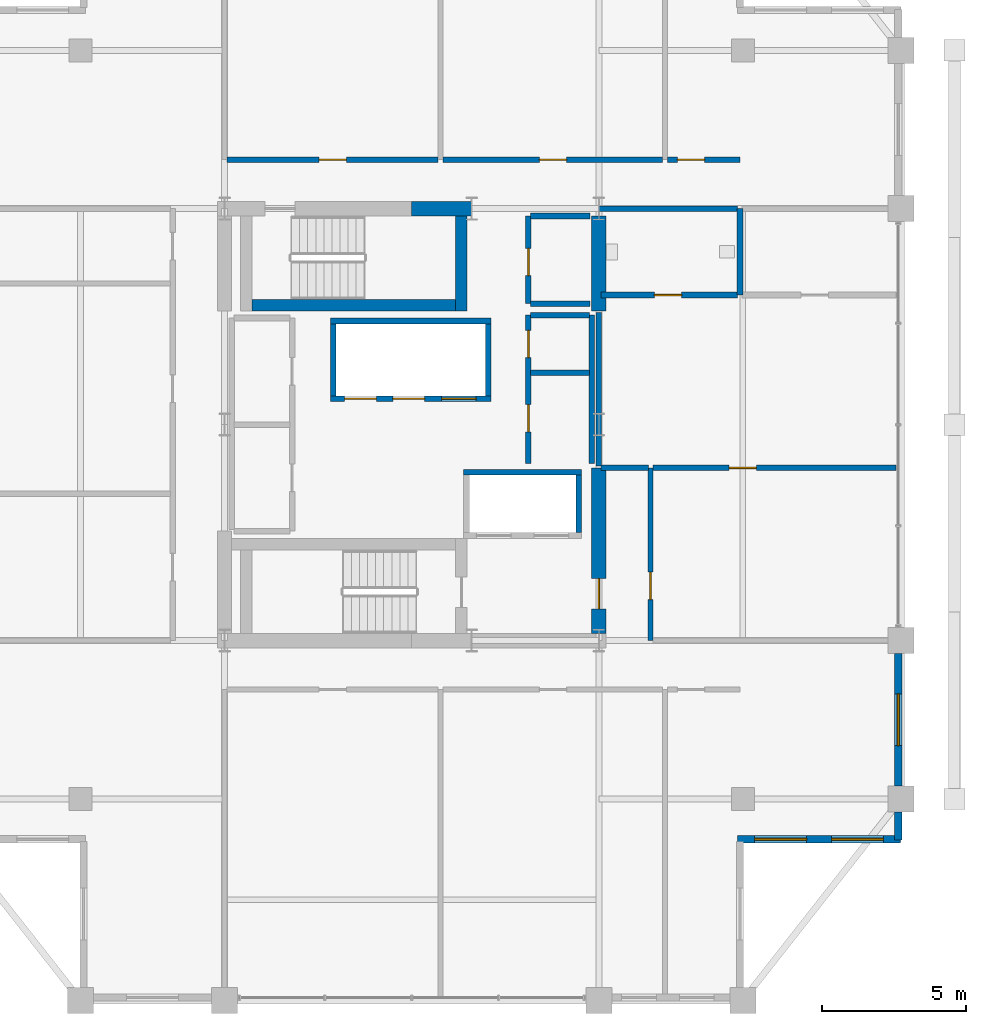
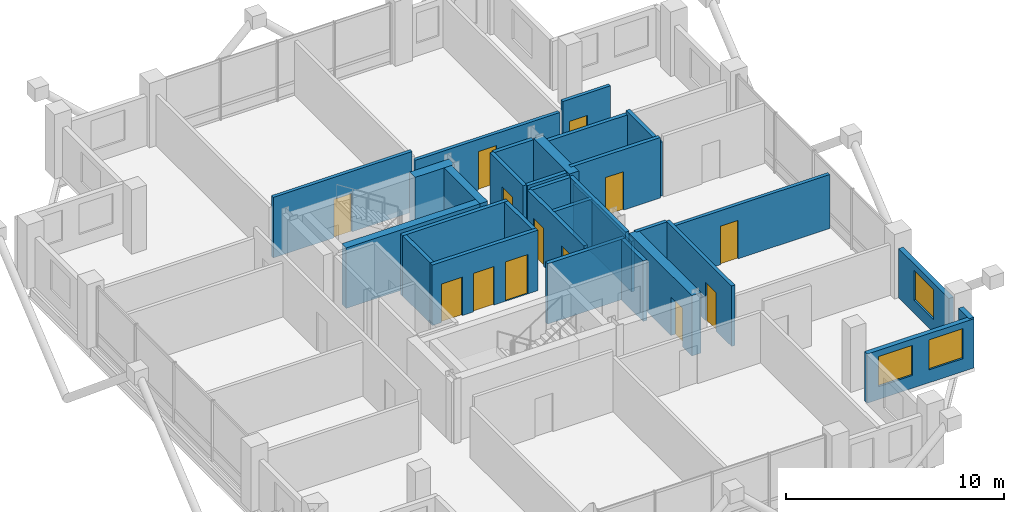
# One storey, part 19 of 22: 31 walls, 13 doors, 3 windows, 16 openings.
"""IFC4 building model written with IfcOpenShell, lengths in metres."""

from ifc_helpers import new_model, si_unit, direction, frame, frame_2d, origin, place, context, subcontext, project, spatial, rectangle, extrude, material, layer, layer_set, type_object, element, fill, save


model = new_model("IFC4")

# Units and contexts
model_context = context("Model", 3, precision=1e-05, world=origin(), true_north=direction((0.0, 1.0)))
body_context = subcontext(model_context, "Body", "Model", "MODEL_VIEW")
ifc_project = project(units=[si_unit("LENGTHUNIT", "METRE"), si_unit("AREAUNIT", "SQUARE_METRE"), si_unit("VOLUMEUNIT", "CUBIC_METRE"), si_unit("PLANEANGLEUNIT", "RADIAN"), si_unit("MASSUNIT", "GRAM", prefix="KILO")], contexts=[model_context])

# Site, building, storey
site_placement = place(None, origin())
site = spatial("IfcSite", under=ifc_project, at=site_placement, CompositionType="ELEMENT")
building_placement = place(site_placement, origin())
building = spatial("IfcBuilding", under=site, at=building_placement, Name="Barlavira Tower and Art Museum", CompositionType="ELEMENT")
storey_placement = place(building_placement, frame((0.0, 0.0, 258.300048828125)))
storey = spatial("IfcBuildingStorey", under=building, at=storey_placement, Name="L67", CompositionType="ELEMENT", Elevation=258.300048828125)

# Wall
ifc_material_1 = material(Name="Concrete C60", Category="concrete")
ifc_layer_1 = layer(ifc_material_1, 0.5, Name="Concrete C60")
ifc_layer_set_1 = layer_set([ifc_layer_1], Name="Concrete C60")
wall_type_1 = type_object("IfcWallType", Name="Core Structural Shear Wall 500 Concrete C60", PredefinedType="SHEAR", material=ifc_layer_set_1)
wall_1_placement = place(storey_placement, frame((0.0, 7.5, 0.0), z_axis=(0.0, 0.0, 1.0), x_axis=(1.0, 0.0, 0.0)))
element("IfcWall", 1, at=wall_1_placement, inside=storey, type_object=wall_type_1, Name="L67 Core Shear Wall CS-EN", PredefinedType="SHEAR", context=body_context, shape_type="SweptSolid", body=[
    extrude(rectangle(XDim=2.080078125, YDim=0.5, at=frame_2d((1.0400390625, 0.0))), origin(), (0.0, 0.0, 1.0), 3.3798828125),
])

# Wall, opening, door
wall_2_placement = place(storey_placement, frame((6.5, -7.25, 0.0), z_axis=(0.0, 0.0, 1.0), x_axis=(0.0, 1.0, 0.0)))
wall_2 = element("IfcWall", 2, at=wall_2_placement, inside=storey, type_object=wall_type_1, Name="L67 Core Shear Wall CS-E1", PredefinedType="SHEAR", context=body_context, shape_type="SweptSolid", body=[
    extrude(rectangle(XDim=5.75, YDim=0.5, at=frame_2d((2.875, 0.0))), origin(), (0.0, 0.0, 1.0), 3.3798828125),
])
opening_1_placement = place(wall_2_placement, frame((0.85009765625, 0.0, 0.0)))
opening_1 = element("IfcOpeningElement", 3, at=opening_1_placement, cuts=wall_2, Name="Opening FD-90", PredefinedType="OPENING", context=body_context, shape_type="SweptSolid", body=[
    extrude(rectangle(XDim=1.050048828125, YDim=2.14990234375, at=frame_2d((0.52490234375, 1.074951171875))), frame((0.0, 0.260009765625, 0.0), z_axis=(0.0, -1.0, 0.0), x_axis=(1.0, 0.0, 0.0)), (0.0, 0.0, 1.0), 0.52001953125),
])
ifc_material_2 = material(Name="Brushed stainless steel", Category="steel")
door_type_1 = type_object("IfcDoorType", Name="Stair and Refuge Fire Door 1050x2150 FD90S", OperationType="NOTDEFINED", PredefinedType="DOOR", material=ifc_material_2)
door_1_placement = place(opening_1_placement, origin())
door_1 = element("IfcDoor", 4, at=door_1_placement, inside=storey, type_object=door_type_1, Name="L67 Firefighting Lobby Entry Fire Door", OperationType="SINGLE_SWING_LEFT", OverallHeight=2.14990234375, OverallWidth=1.050048828125, PredefinedType="DOOR", context=body_context, shape_type="SweptSolid", body=[
    extrude(rectangle(XDim=1.050048828125, YDim=2.14990234375, at=frame_2d((0.52490234375, 1.074951171875))), frame((0.0, 0.02490234375, 0.0), z_axis=(0.0, -1.0, 0.0), x_axis=(1.0, 0.0, 0.0)), (0.0, 0.0, 1.0), 0.050048828125),
])
fill(opening_1, door_1)

# Wall
wall_3_placement = place(storey_placement, frame((6.5, 3.949951171875, 0.0), z_axis=(0.0, 0.0, 1.0), x_axis=(0.0, 1.0, 0.0)))
element("IfcWall", 5, at=wall_3_placement, inside=storey, type_object=wall_type_1, Name="L67 Core Shear Wall CS-E2", PredefinedType="SHEAR", context=body_context, shape_type="SweptSolid", body=[
    extrude(rectangle(XDim=3.300048828125, YDim=0.5, at=frame_2d((1.64990234375, 0.0))), origin(), (0.0, 0.0, 1.0), 3.3798828125),
])

# Wall, openings, doors
ifc_material_3 = material(Name="Autoclaved aerated concrete masonry", Category="masonry")
ifc_layer_2 = layer(ifc_material_3, 0.199951171875, Name="Autoclaved aerated concrete masonry")
ifc_layer_set_2 = layer_set([ifc_layer_2], Name="Autoclaved aerated concrete masonry")
wall_type_2 = type_object("IfcWallType", Name="Fire Compartment and Shaft Wall 200", PredefinedType="SOLIDWALL", material=ifc_layer_set_2)
wall_4_placement = place(storey_placement, frame((-2.820068359375, 0.89990234375, 0.0), z_axis=(0.0, 0.0, 1.0), x_axis=(1.0, 0.0, 0.0)))
wall_4 = element("IfcWall", 6, at=wall_4_placement, inside=storey, type_object=wall_type_2, Name="L67 High-Rise & Service Lift Front Wall", PredefinedType="SOLIDWALL", context=body_context, shape_type="SweptSolid", body=[
    extrude(rectangle(XDim=5.580078125, YDim=0.199951171875, at=frame_2d((2.7900390625, 0.0))), origin(), (0.0, 0.0, 1.0), 3.3798828125),
])
opening_2_placement = place(wall_4_placement, frame((0.489990234375, 0.0, 0.0)))
opening_2 = element("IfcOpeningElement", 7, at=opening_2_placement, cuts=wall_4, Name="Opening LD-P", PredefinedType="OPENING", context=body_context, shape_type="SweptSolid", body=[
    extrude(rectangle(XDim=1.10009765625, YDim=2.14990234375, at=frame_2d((0.550048828125, 1.074951171875))), frame((0.0, 0.10986328125, 0.0), z_axis=(0.0, -1.0, 0.0), x_axis=(1.0, 0.0, 0.0)), (0.0, 0.0, 1.0), 0.219970703125),
])
opening_3_placement = place(wall_4_placement, frame((2.169921875, 0.0, 0.0)))
opening_3 = element("IfcOpeningElement", 8, at=opening_3_placement, cuts=wall_4, Name="Opening LD-P", PredefinedType="OPENING", context=body_context, shape_type="SweptSolid", body=[
    extrude(rectangle(XDim=1.10009765625, YDim=2.14990234375, at=frame_2d((0.550048828125, 1.074951171875))), frame((0.0, 0.10986328125, 0.0), z_axis=(0.0, -1.0, 0.0), x_axis=(1.0, 0.0, 0.0)), (0.0, 0.0, 1.0), 0.219970703125),
])
opening_4_placement = place(wall_4_placement, frame((3.860107421875, 0.0, 0.0)))
opening_4 = element("IfcOpeningElement", 9, at=opening_4_placement, cuts=wall_4, Name="Opening LD-F", PredefinedType="OPENING", context=body_context, shape_type="SweptSolid", body=[
    extrude(rectangle(XDim=1.199951171875, YDim=2.199951171875, at=frame_2d((0.60009765625, 1.10009765625))), frame((0.0, 0.10986328125, 0.0), z_axis=(0.0, -1.0, 0.0), x_axis=(1.0, 0.0, 0.0)), (0.0, 0.0, 1.0), 0.219970703125),
])
door_type_2 = type_object("IfcDoorType", Name="Firefighting and Service Lift Sliding Door 1200x2200 FD120", OperationType="NOTDEFINED", PredefinedType="DOOR", material=ifc_material_2)
door_2_placement = place(opening_4_placement, origin())
door_2 = element("IfcDoor", 10, at=door_2_placement, inside=storey, type_object=door_type_2, Name="L67 Stretcher Service Lift SL1 Sliding Door", OperationType="DOUBLE_DOOR_SLIDING", OverallHeight=2.199951171875, OverallWidth=1.199951171875, PredefinedType="DOOR", context=body_context, shape_type="SweptSolid", body=[
    extrude(rectangle(XDim=1.199951171875, YDim=2.199951171875, at=frame_2d((0.60009765625, 1.10009765625))), frame((0.0, 0.02490234375, 0.0), z_axis=(0.0, -1.0, 0.0), x_axis=(1.0, 0.0, 0.0)), (0.0, 0.0, 1.0), 0.050048828125),
])
fill(opening_4, door_2)
door_type_3 = type_object("IfcDoorType", Name="Passenger Lift Sliding Landing Door 1100x2150 FD60", OperationType="NOTDEFINED", PredefinedType="DOOR", material=ifc_material_2)
door_3_placement = place(opening_2_placement, origin())
door_3 = element("IfcDoor", 11, at=door_3_placement, inside=storey, type_object=door_type_3, Name="L67 Lift PH1 Sliding Landing Door", OperationType="DOUBLE_DOOR_SLIDING", OverallHeight=2.14990234375, OverallWidth=1.10009765625, PredefinedType="DOOR", context=body_context, shape_type="SweptSolid", body=[
    extrude(rectangle(XDim=1.10009765625, YDim=2.14990234375, at=frame_2d((0.550048828125, 1.074951171875))), frame((0.0, 0.02490234375, 0.0), z_axis=(0.0, -1.0, 0.0), x_axis=(1.0, 0.0, 0.0)), (0.0, 0.0, 1.0), 0.050048828125),
])
fill(opening_2, door_3)
door_4_placement = place(opening_3_placement, origin())
door_4 = element("IfcDoor", 12, at=door_4_placement, inside=storey, type_object=door_type_3, Name="L67 Lift PH2 Sliding Landing Door", OperationType="DOUBLE_DOOR_SLIDING", OverallHeight=2.14990234375, OverallWidth=1.10009765625, PredefinedType="DOOR", context=body_context, shape_type="SweptSolid", body=[
    extrude(rectangle(XDim=1.10009765625, YDim=2.14990234375, at=frame_2d((0.550048828125, 1.074951171875))), frame((0.0, 0.02490234375, 0.0), z_axis=(0.0, -1.0, 0.0), x_axis=(1.0, 0.0, 0.0)), (0.0, 0.0, 1.0), 0.050048828125),
])
fill(opening_3, door_4)

# Walls
wall_5_placement = place(storey_placement, frame((-2.820068359375, 3.60009765625, 0.0), z_axis=(0.0, 0.0, 1.0), x_axis=(1.0, 0.0, 0.0)))
element("IfcWall", 13, at=wall_5_placement, inside=storey, type_object=wall_type_2, Name="L67 High-Rise & Service Lift Back Wall", PredefinedType="SOLIDWALL", context=body_context, shape_type="SweptSolid", body=[
    extrude(rectangle(XDim=5.580078125, YDim=0.199951171875, at=frame_2d((2.7900390625, 0.0))), origin(), (0.0, 0.0, 1.0), 3.3798828125),
])
for number, where, z_axis, x_axis, name in (
    (14, (-2.719970703125, 1.0, 0.0), (0.0, 0.0, 1.0), (0.0, 1.0, 0.0), "L67 High-Rise & Service Lift West Wall"),
    (15, (2.659912109375, 1.0, 0.0), (0.0, 0.0, 1.0), (0.0, 1.0, 0.0), "L67 High-Rise & Service Lift East Wall"),
):
    element("IfcWall", number, at=place(storey_placement, frame(where, z_axis=z_axis, x_axis=x_axis)), inside=storey, type_object=wall_type_2, Name=name, PredefinedType="SOLIDWALL", context=body_context, shape_type="SweptSolid", body=[
        extrude(rectangle(XDim=2.5, YDim=0.199951171875, at=frame_2d((1.25, 0.0))), origin(), (0.0, 0.0, 1.0), 3.3798828125),
    ])
wall_6_placement = place(storey_placement, frame((1.800048828125, -1.64990234375, 0.0), z_axis=(0.0, 0.0, 1.0), x_axis=(1.0, 0.0, 0.0)))
element("IfcWall", 16, at=wall_6_placement, inside=storey, type_object=wall_type_2, Name="L67 Firefighting Lift Back Shaft Wall", PredefinedType="SOLIDWALL", context=body_context, shape_type="SweptSolid", body=[
    extrude(rectangle(XDim=4.099853515625, YDim=0.199951171875, at=frame_2d((2.0498046875, 0.0))), origin(), (0.0, 0.0, 1.0), 3.3798828125),
])
wall_7_placement = place(storey_placement, frame((5.800048828125, -3.75, 0.0), z_axis=(0.0, 0.0, 1.0), x_axis=(0.0, 1.0, 0.0)))
element("IfcWall", 17, at=wall_7_placement, inside=storey, type_object=wall_type_2, Name="L67 Firefighting Lift East Shaft Wall", PredefinedType="SOLIDWALL", context=body_context, shape_type="SweptSolid", body=[
    extrude(rectangle(XDim=2.0, YDim=0.199951171875, at=frame_2d((1.0, 0.0))), origin(), (0.0, 0.0, 1.0), 3.3798828125),
])

# Wall, openings, doors
wall_8_placement = place(storey_placement, frame((4.050048828125, -1.35009765625, 0.0), z_axis=(0.0, 0.0, 1.0), x_axis=(0.0, 1.0, 0.0)))
wall_8 = element("IfcWall", 18, at=wall_8_placement, inside=storey, type_object=wall_type_2, Name="L67 Partition Wall 8", PredefinedType="SOLIDWALL", context=body_context, shape_type="SweptSolid", body=[
    extrude(rectangle(XDim=5.150146484375, YDim=0.199951171875, at=frame_2d((2.5751953125, 0.0))), origin(), (0.0, 0.0, 1.0), 3.3798828125),
])
opening_5_placement = place(wall_8_placement, frame((1.094970703125, 0.0, 0.0)))
opening_5 = element("IfcOpeningElement", 19, at=opening_5_placement, cuts=wall_8, Name="Opening FD-60", PredefinedType="OPENING", context=body_context, shape_type="SweptSolid", body=[
    extrude(rectangle(XDim=0.949951171875, YDim=2.14990234375, at=frame_2d((0.47509765625, 1.074951171875))), frame((0.0, 0.10986328125, 0.0), z_axis=(0.0, -1.0, 0.0), x_axis=(1.0, 0.0, 0.0)), (0.0, 0.0, 1.0), 0.219970703125),
])
opening_6_placement = place(wall_8_placement, frame((3.675048828125, 0.0, 0.0)))
opening_6 = element("IfcOpeningElement", 20, at=opening_6_placement, cuts=wall_8, Name="Opening FD-60", PredefinedType="OPENING", context=body_context, shape_type="SweptSolid", body=[
    extrude(rectangle(XDim=0.949951171875, YDim=2.14990234375, at=frame_2d((0.47509765625, 1.074951171875))), frame((0.0, 0.10986328125, 0.0), z_axis=(0.0, -1.0, 0.0), x_axis=(1.0, 0.0, 0.0)), (0.0, 0.0, 1.0), 0.219970703125),
])
door_type_4 = type_object("IfcDoorType", Name="Apartment Entrance and Riser Fire Door 950x2150 FD60S", OperationType="NOTDEFINED", PredefinedType="DOOR", material=ifc_material_2)
door_5_placement = place(opening_5_placement, origin())
door_5 = element("IfcDoor", 21, at=door_5_placement, inside=storey, type_object=door_type_4, Name="Reclaimed Upper Core IT Hub Door", OperationType="SINGLE_SWING_RIGHT", OverallHeight=2.14990234375, OverallWidth=0.949951171875, PredefinedType="DOOR", context=body_context, shape_type="SweptSolid", body=[
    extrude(rectangle(XDim=0.949951171875, YDim=2.14990234375, at=frame_2d((0.47509765625, 1.074951171875))), frame((0.0, 0.02490234375, 0.0), z_axis=(0.0, -1.0, 0.0), x_axis=(1.0, 0.0, 0.0)), (0.0, 0.0, 1.0), 0.050048828125),
])
fill(opening_5, door_5)
door_6_placement = place(opening_6_placement, origin())
door_6 = element("IfcDoor", 22, at=door_6_placement, inside=storey, type_object=door_type_4, Name="Reclaimed Upper Core Archive Closet Door", OperationType="SINGLE_SWING_LEFT", OverallHeight=2.14990234375, OverallWidth=0.949951171875, PredefinedType="DOOR", context=body_context, shape_type="SweptSolid", body=[
    extrude(rectangle(XDim=0.949951171875, YDim=2.14990234375, at=frame_2d((0.47509765625, 1.074951171875))), frame((0.0, 0.02490234375, 0.0), z_axis=(0.0, -1.0, 0.0), x_axis=(1.0, 0.0, 0.0)), (0.0, 0.0, 1.0), 0.050048828125),
])
fill(opening_6, door_6)

# Wall, opening, door
wall_9_placement = place(storey_placement, frame((4.050048828125, 4.199951171875, 0.0), z_axis=(0.0, 0.0, 1.0), x_axis=(0.0, 1.0, 0.0)))
wall_9 = element("IfcWall", 23, at=wall_9_placement, inside=storey, type_object=wall_type_2, Name="L67 Partition Wall 9", PredefinedType="SOLIDWALL", context=body_context, shape_type="SweptSolid", body=[
    extrude(rectangle(XDim=3.050048828125, YDim=0.199951171875, at=frame_2d((1.52490234375, 0.0))), origin(), (0.0, 0.0, 1.0), 3.3798828125),
])
opening_7_placement = place(wall_9_placement, frame((0.97509765625, 0.0, 0.0)))
opening_7 = element("IfcOpeningElement", 24, at=opening_7_placement, cuts=wall_9, Name="Opening FD-60", PredefinedType="OPENING", context=body_context, shape_type="SweptSolid", body=[
    extrude(rectangle(XDim=0.949951171875, YDim=2.14990234375, at=frame_2d((0.47509765625, 1.074951171875))), frame((0.0, 0.10986328125, 0.0), z_axis=(0.0, -1.0, 0.0), x_axis=(1.0, 0.0, 0.0)), (0.0, 0.0, 1.0), 0.219970703125),
])
door_7_placement = place(opening_7_placement, origin())
door_7 = element("IfcDoor", 25, at=door_7_placement, inside=storey, type_object=door_type_4, Name="Combined Electrical and Telecom Plant Room Door", OperationType="SINGLE_SWING_RIGHT", OverallHeight=2.14990234375, OverallWidth=0.949951171875, PredefinedType="DOOR", context=body_context, shape_type="SweptSolid", body=[
    extrude(rectangle(XDim=0.949951171875, YDim=2.14990234375, at=frame_2d((0.47509765625, 1.074951171875))), frame((0.0, 0.02490234375, 0.0), z_axis=(0.0, -1.0, 0.0), x_axis=(1.0, 0.0, 0.0)), (0.0, 0.0, 1.0), 0.050048828125),
])
fill(opening_7, door_7)

# Walls
wall_10_placement = place(storey_placement, frame((6.25, -1.35009765625, 0.0), z_axis=(0.0, 0.0, 1.0), x_axis=(0.0, 1.0, 0.0)))
element("IfcWall", 26, at=wall_10_placement, inside=storey, type_object=wall_type_2, Name="L67 Partition Wall 10", PredefinedType="SOLIDWALL", context=body_context, shape_type="SweptSolid", body=[
    extrude(rectangle(XDim=5.150146484375, YDim=0.199951171875, at=frame_2d((2.5751953125, 0.0))), origin(), (0.0, 0.0, 1.0), 3.3798828125),
])
wall_11_placement = place(storey_placement, frame((11.39990234375, 4.5, 0.0), z_axis=(0.0, 0.0, 1.0), x_axis=(0.0, 1.0, 0.0)))
element("IfcWall", 27, at=wall_11_placement, inside=storey, type_object=wall_type_2, Name="L67 Partition Wall 15", PredefinedType="SOLIDWALL", context=body_context, shape_type="SweptSolid", body=[
    extrude(rectangle(XDim=3.0, YDim=0.199951171875, at=frame_2d((1.5, 0.0))), origin(), (0.0, 0.0, 1.0), 3.01806640625),
])
for number, where, z_axis, x_axis, name in (
    (28, (4.1298828125, 1.800048828125, 0.0), (0.0, 0.0, 1.0), (1.0, 0.0, 0.0), "L67 Partition Wall 26"),
    (29, (4.1298828125, 3.800048828125, 0.0), (0.0, 0.0, 1.0), (1.0, 0.0, 0.0), "L67 Partition Wall 28"),
):
    element("IfcWall", number, at=place(storey_placement, frame(where, z_axis=z_axis, x_axis=x_axis)), inside=storey, type_object=wall_type_2, Name=name, PredefinedType="SOLIDWALL", context=body_context, shape_type="SweptSolid", body=[
        extrude(rectangle(XDim=2.0400390625, YDim=0.199951171875, at=frame_2d((1.02001953125, 0.0))), origin(), (0.0, 0.0, 1.0), 3.3798828125),
    ])
wall_12_placement = place(storey_placement, frame((4.1298828125, 4.199951171875, 0.0), z_axis=(0.0, 0.0, 1.0), x_axis=(1.0, 0.0, 0.0)))
element("IfcWall", 30, at=wall_12_placement, inside=storey, type_object=wall_type_2, Name="L67 Partition Wall 29", PredefinedType="SOLIDWALL", context=body_context, shape_type="SweptSolid", body=[
    extrude(rectangle(XDim=2.070068359375, YDim=0.199951171875, at=frame_2d((1.03515625, 0.0))), origin(), (0.0, 0.0, 1.0), 3.3798828125),
])

# Wall, opening, door
wall_13_placement = place(storey_placement, frame((6.580078125, 4.5, 0.0), z_axis=(0.0, 0.0, 1.0), x_axis=(1.0, 0.0, 0.0)))
wall_13 = element("IfcWall", 31, at=wall_13_placement, inside=storey, type_object=wall_type_2, Name="L67 Partition Wall 30", PredefinedType="SOLIDWALL", context=body_context, shape_type="SweptSolid", body=[
    extrude(rectangle(XDim=4.739990234375, YDim=0.199951171875, at=frame_2d((2.3701171875, 0.0))), origin(), (0.0, 0.0, 1.0), 3.3798828125),
])
opening_8_placement = place(wall_13_placement, frame((1.844970703125, 0.0, 0.0)))
opening_8 = element("IfcOpeningElement", 32, at=opening_8_placement, cuts=wall_13, Name="Opening FD-60", PredefinedType="OPENING", context=body_context, shape_type="SweptSolid", body=[
    extrude(rectangle(XDim=0.949951171875, YDim=2.14990234375, at=frame_2d((0.47509765625, 1.074951171875))), frame((0.0, 0.10986328125, 0.0), z_axis=(0.0, -1.0, 0.0), x_axis=(1.0, 0.0, 0.0)), (0.0, 0.0, 1.0), 0.219970703125),
])
door_8_placement = place(opening_8_placement, origin())
door_8 = element("IfcDoor", 33, at=door_8_placement, inside=storey, type_object=door_type_4, Name="Wellness Accessible Shower WC Door", OperationType="SINGLE_SWING_RIGHT", OverallHeight=2.14990234375, OverallWidth=0.949951171875, PredefinedType="DOOR", context=body_context, shape_type="SweptSolid", body=[
    extrude(rectangle(XDim=0.949951171875, YDim=2.14990234375, at=frame_2d((0.47509765625, 1.074951171875))), frame((0.0, 0.02490234375, 0.0), z_axis=(0.0, -1.0, 0.0), x_axis=(1.0, 0.0, 0.0)), (0.0, 0.0, 1.0), 0.050048828125),
])
fill(opening_8, door_8)

# Walls
wall_14_placement = place(storey_placement, frame((4.1298828125, 7.25, 0.0), z_axis=(0.0, 0.0, 1.0), x_axis=(1.0, 0.0, 0.0)))
element("IfcWall", 34, at=wall_14_placement, inside=storey, type_object=wall_type_2, Name="L67 Partition Wall 33", PredefinedType="SOLIDWALL", context=body_context, shape_type="SweptSolid", body=[
    extrude(rectangle(XDim=2.070068359375, YDim=0.199951171875, at=frame_2d((1.03515625, 0.0))), origin(), (0.0, 0.0, 1.0), 3.3798828125),
])
wall_15_placement = place(storey_placement, frame((6.5, 7.5, 0.0), z_axis=(0.0, 0.0, 1.0), x_axis=(1.0, 0.0, 0.0)))
element("IfcWall", 35, at=wall_15_placement, inside=storey, type_object=wall_type_2, Name="L67 Partition Wall 35", PredefinedType="SOLIDWALL", context=body_context, shape_type="SweptSolid", body=[
    extrude(rectangle(XDim=4.820068359375, YDim=0.199951171875, at=frame_2d((2.41015625, 0.0))), origin(), (0.0, 0.0, 1.0), 2.825927734375),
])
ifc_material_4 = material(Name="Gypsum acoustic stud partition", Category="gypsum")
ifc_layer_3 = layer(ifc_material_4, 0.179931640625, Name="Gypsum acoustic stud partition")
ifc_layer_set_3 = layer_set([ifc_layer_3], Name="Gypsum acoustic stud partition")
wall_type_3 = type_object("IfcWallType", Name="Inter-Tenancy Party Partition Wall 180", PredefinedType="PARTITIONING", material=ifc_layer_set_3)
wall_16_placement = place(storey_placement, frame((6.5, -1.43994140625, 0.0), z_axis=(0.0, 0.0, 1.0), x_axis=(0.0, 1.0, 0.0)))
element("IfcWall", 36, at=wall_16_placement, inside=storey, type_object=wall_type_3, Name="L67 Partition Wall 11", PredefinedType="PARTITIONING", context=body_context, shape_type="SweptSolid", body=[
    extrude(rectangle(XDim=5.329833984375, YDim=0.179931640625, at=frame_2d((2.6650390625, 0.0))), origin(), (0.0, 0.0, 1.0), 2.825927734375),
])

# Wall, opening, door
wall_17_placement = place(storey_placement, frame((8.300048828125, -7.5, 0.0), z_axis=(0.0, 0.0, 1.0), x_axis=(0.0, 1.0, 0.0)))
wall_17 = element("IfcWall", 37, at=wall_17_placement, inside=storey, type_object=wall_type_3, Name="L67 Partition Wall 12", PredefinedType="PARTITIONING", context=body_context, shape_type="SweptSolid", body=[
    extrude(rectangle(XDim=6.0, YDim=0.179931640625, at=frame_2d((3.0, 0.0))), origin(), (0.0, 0.0, 1.0), 3.3798828125),
])
opening_9_placement = place(wall_17_placement, frame((1.425048828125, 0.0, 0.0)))
opening_9 = element("IfcOpeningElement", 38, at=opening_9_placement, cuts=wall_17, Name="Opening FD-60", PredefinedType="OPENING", context=body_context, shape_type="SweptSolid", body=[
    extrude(rectangle(XDim=0.949951171875, YDim=2.14990234375, at=frame_2d((0.47509765625, 1.074951171875))), frame((0.0, 0.10009765625, 0.0), z_axis=(0.0, -1.0, 0.0), x_axis=(1.0, 0.0, 0.0)), (0.0, 0.0, 1.0), 0.199951171875),
])
door_9_placement = place(opening_9_placement, origin())
door_9 = element("IfcDoor", 39, at=door_9_placement, inside=storey, type_object=door_type_4, Name="Coastal Hydrotherapy and Yoga Lounge Door", OperationType="SINGLE_SWING_RIGHT", OverallHeight=2.14990234375, OverallWidth=0.949951171875, PredefinedType="DOOR", context=body_context, shape_type="SweptSolid", body=[
    extrude(rectangle(XDim=0.949951171875, YDim=2.14990234375, at=frame_2d((0.47509765625, 1.074951171875))), frame((0.0, 0.02490234375, 0.0), z_axis=(0.0, -1.0, 0.0), x_axis=(1.0, 0.0, 0.0)), (0.0, 0.0, 1.0), 0.050048828125),
])
fill(opening_9, door_9)

# Wall
wall_18_placement = place(storey_placement, frame((6.580078125, -1.5, 0.0), z_axis=(0.0, 0.0, 1.0), x_axis=(1.0, 0.0, 0.0)))
element("IfcWall", 40, at=wall_18_placement, inside=storey, type_object=wall_type_3, Name="L67 Partition Wall 23", PredefinedType="PARTITIONING", context=body_context, shape_type="SweptSolid", body=[
    extrude(rectangle(XDim=1.639892578125, YDim=0.179931640625, at=frame_2d((0.81982421875, 0.0))), origin(), (0.0, 0.0, 1.0), 3.3798828125),
])

# Wall, opening, door
wall_19_placement = place(storey_placement, frame((8.3798828125, -1.5, 0.0), z_axis=(0.0, 0.0, 1.0), x_axis=(1.0, 0.0, 0.0)))
wall_19 = element("IfcWall", 41, at=wall_19_placement, inside=storey, type_object=wall_type_3, Name="L67 Partition Wall 24", PredefinedType="PARTITIONING", context=body_context, shape_type="SweptSolid", body=[
    extrude(rectangle(XDim=8.440185546875, YDim=0.179931640625, at=frame_2d((4.22021484375, 0.0))), origin(), (0.0, 0.0, 1.0), 3.01806640625),
])
opening_10_placement = place(wall_19_placement, frame((2.64501953125, 0.0, 0.0)))
opening_10 = element("IfcOpeningElement", 42, at=opening_10_placement, cuts=wall_19, Name="Opening FD-60", PredefinedType="OPENING", context=body_context, shape_type="SweptSolid", body=[
    extrude(rectangle(XDim=0.949951171875, YDim=2.14990234375, at=frame_2d((0.47509765625, 1.074951171875))), frame((0.0, 0.10009765625, 0.0), z_axis=(0.0, -1.0, 0.0), x_axis=(1.0, 0.0, 0.0)), (0.0, 0.0, 1.0), 0.199951171875),
])
door_10_placement = place(opening_10_placement, origin())
door_10 = element("IfcDoor", 43, at=door_10_placement, inside=storey, type_object=door_type_4, Name="Resident Ocean-View Fitness Studio Door", OperationType="SINGLE_SWING_LEFT", OverallHeight=2.14990234375, OverallWidth=0.949951171875, PredefinedType="DOOR", context=body_context, shape_type="SweptSolid", body=[
    extrude(rectangle(XDim=0.949951171875, YDim=2.14990234375, at=frame_2d((0.47509765625, 1.074951171875))), frame((0.0, 0.02490234375, 0.0), z_axis=(0.0, -1.0, 0.0), x_axis=(1.0, 0.0, 0.0)), (0.0, 0.0, 1.0), 0.050048828125),
])
fill(opening_10, door_10)

wall_20_placement = place(storey_placement, frame((-6.419921875, 9.199951171875, 0.0), z_axis=(0.0, 0.0, 1.0), x_axis=(1.0, 0.0, 0.0)))
wall_20 = element("IfcWall", 44, at=wall_20_placement, inside=storey, type_object=wall_type_3, Name="L67 Partition Wall 37", PredefinedType="PARTITIONING", context=body_context, shape_type="SweptSolid", body=[
    extrude(rectangle(XDim=7.33984375, YDim=0.179931640625, at=frame_2d((3.669921875, 0.0))), origin(), (0.0, 0.0, 1.0), 3.3798828125),
])
opening_11_placement = place(wall_20_placement, frame((3.205078125, 0.0, 0.0)))
opening_11 = element("IfcOpeningElement", 45, at=opening_11_placement, cuts=wall_20, Name="Opening FD-60", PredefinedType="OPENING", context=body_context, shape_type="SweptSolid", body=[
    extrude(rectangle(XDim=0.949951171875, YDim=2.14990234375, at=frame_2d((0.47509765625, 1.074951171875))), frame((0.0, 0.10009765625, 0.0), z_axis=(0.0, -1.0, 0.0), x_axis=(1.0, 0.0, 0.0)), (0.0, 0.0, 1.0), 0.199951171875),
])
door_11_placement = place(opening_11_placement, origin())
door_11 = element("IfcDoor", 46, at=door_11_placement, inside=storey, type_object=door_type_4, Name="Resident Art Collectors Salon Door", OperationType="SINGLE_SWING_RIGHT", OverallHeight=2.14990234375, OverallWidth=0.949951171875, PredefinedType="DOOR", context=body_context, shape_type="SweptSolid", body=[
    extrude(rectangle(XDim=0.949951171875, YDim=2.14990234375, at=frame_2d((0.47509765625, 1.074951171875))), frame((0.0, 0.02490234375, 0.0), z_axis=(0.0, -1.0, 0.0), x_axis=(1.0, 0.0, 0.0)), (0.0, 0.0, 1.0), 0.050048828125),
])
fill(opening_11, door_11)

wall_21_placement = place(storey_placement, frame((1.080078125, 9.199951171875, 0.0), z_axis=(0.0, 0.0, 1.0), x_axis=(1.0, 0.0, 0.0)))
wall_21 = element("IfcWall", 47, at=wall_21_placement, inside=storey, type_object=wall_type_3, Name="L67 Partition Wall 38", PredefinedType="PARTITIONING", context=body_context, shape_type="SweptSolid", body=[
    extrude(rectangle(XDim=7.639892578125, YDim=0.179931640625, at=frame_2d((3.81982421875, 0.0))), origin(), (0.0, 0.0, 1.0), 2.825927734375),
])
opening_12_placement = place(wall_21_placement, frame((3.35498046875, 0.0, 0.0)))
opening_12 = element("IfcOpeningElement", 48, at=opening_12_placement, cuts=wall_21, Name="Opening FD-60", PredefinedType="OPENING", context=body_context, shape_type="SweptSolid", body=[
    extrude(rectangle(XDim=0.949951171875, YDim=2.14990234375, at=frame_2d((0.47509765625, 1.074951171875))), frame((0.0, 0.10009765625, 0.0), z_axis=(0.0, -1.0, 0.0), x_axis=(1.0, 0.0, 0.0)), (0.0, 0.0, 1.0), 0.199951171875),
])
door_12_placement = place(opening_12_placement, origin())
door_12 = element("IfcDoor", 49, at=door_12_placement, inside=storey, type_object=door_type_4, Name="Sculpture and Painting Workshop Door", OperationType="SINGLE_SWING_LEFT", OverallHeight=2.14990234375, OverallWidth=0.949951171875, PredefinedType="DOOR", context=body_context, shape_type="SweptSolid", body=[
    extrude(rectangle(XDim=0.949951171875, YDim=2.14990234375, at=frame_2d((0.47509765625, 1.074951171875))), frame((0.0, 0.02490234375, 0.0), z_axis=(0.0, -1.0, 0.0), x_axis=(1.0, 0.0, 0.0)), (0.0, 0.0, 1.0), 0.050048828125),
])
fill(opening_12, door_12)

wall_22_placement = place(storey_placement, frame((8.8798828125, 9.199951171875, 0.0), z_axis=(0.0, 0.0, 1.0), x_axis=(1.0, 0.0, 0.0)))
wall_22 = element("IfcWall", 50, at=wall_22_placement, inside=storey, type_object=wall_type_3, Name="L67 Partition Wall 39", PredefinedType="PARTITIONING", context=body_context, shape_type="SweptSolid", body=[
    extrude(rectangle(XDim=2.52001953125, YDim=0.179931640625, at=frame_2d((1.260009765625, 0.0))), origin(), (0.0, 0.0, 1.0), 3.3798828125),
])
opening_13_placement = place(wall_22_placement, frame((0.344970703125, 0.0, 0.0)))
opening_13 = element("IfcOpeningElement", 51, at=opening_13_placement, cuts=wall_22, Name="Opening FD-60", PredefinedType="OPENING", context=body_context, shape_type="SweptSolid", body=[
    extrude(rectangle(XDim=0.949951171875, YDim=2.14990234375, at=frame_2d((0.47509765625, 1.074951171875))), frame((0.0, 0.10009765625, 0.0), z_axis=(0.0, -1.0, 0.0), x_axis=(1.0, 0.0, 0.0)), (0.0, 0.0, 1.0), 0.199951171875),
])
door_13_placement = place(opening_13_placement, origin())
door_13 = element("IfcDoor", 52, at=door_13_placement, inside=storey, type_object=door_type_4, Name="Climate-Controlled Wine Tasting Room Door", OperationType="SINGLE_SWING_RIGHT", OverallHeight=2.14990234375, OverallWidth=0.949951171875, PredefinedType="DOOR", context=body_context, shape_type="SweptSolid", body=[
    extrude(rectangle(XDim=0.949951171875, YDim=2.14990234375, at=frame_2d((0.47509765625, 1.074951171875))), frame((0.0, 0.02490234375, 0.0), z_axis=(0.0, -1.0, 0.0), x_axis=(1.0, 0.0, 0.0)), (0.0, 0.0, 1.0), 0.050048828125),
])
fill(opening_13, door_13)

# Wall
ifc_material_5 = material(Name="Precast concrete C40", Category="concrete")
ifc_layer_4 = layer(ifc_material_5, 0.25, Name="Precast concrete C40")
ifc_layer_set_4 = layer_set([ifc_layer_4], Name="Precast concrete C40")
wall_type_4 = type_object("IfcWallType", Name="Notched Corner Spandrel Wall 250 Precast Concrete C40", PredefinedType="SOLIDWALL", material=ifc_layer_set_4)
wall_23_placement = place(storey_placement, frame((16.89990234375, -14.425048828125, 0.0), z_axis=(0.0, 0.0, 1.0), x_axis=(0.0, 1.0, 0.0)))
element("IfcWall", 53, at=wall_23_placement, inside=storey, type_object=wall_type_4, Name="L67 Coastal Facade Pier Wall CW4-L67-E-1", PredefinedType="SOLIDWALL", context=body_context, shape_type="SweptSolid", body=[
    extrude(rectangle(XDim=0.97998046875, YDim=0.25, at=frame_2d((0.489990234375, 0.0))), origin(), (0.0, 0.0, 1.0), 2.748046875),
])

# Wall, opening, window
wall_24_placement = place(storey_placement, frame((16.89990234375, -12.554931640625, 0.0), z_axis=(0.0, 0.0, 1.0), x_axis=(0.0, 1.0, 0.0)))
wall_24 = element("IfcWall", 54, at=wall_24_placement, inside=storey, type_object=wall_type_4, Name="L67 Coastal Facade Pier Wall CW4-L67-E-2", PredefinedType="SOLIDWALL", context=body_context, shape_type="SweptSolid", body=[
    extrude(rectangle(XDim=4.60986328125, YDim=0.25, at=frame_2d((2.304931640625, 0.0))), origin(), (0.0, 0.0, 1.0), 2.748046875),
])
opening_14_placement = place(wall_24_placement, frame((1.405029296875, 0.0, 0.719970703125)))
opening_14 = element("IfcOpeningElement", 55, at=opening_14_placement, cuts=wall_24, Name="Opening WN-01", PredefinedType="OPENING", context=body_context, shape_type="SweptSolid", body=[
    extrude(rectangle(XDim=1.800048828125, YDim=1.679931640625, at=frame_2d((0.89990234375, 0.83984375))), frame((0.0, 0.135009765625, 0.0), z_axis=(0.0, -1.0, 0.0), x_axis=(1.0, 0.0, 0.0)), (0.0, 0.0, 1.0), 0.27001953125),
])
ifc_material_6 = material(Name="Low-iron coastal laminated glass", Category="glass")
window_type = type_object("IfcWindowType", Name="Recessed Notch Corner Punch Window 1800x1680", PartitioningType="SINGLE_PANEL", PredefinedType="WINDOW", material=ifc_material_6)
window_1_placement = place(opening_14_placement, origin())
window_1 = element("IfcWindow", 56, at=window_1_placement, inside=storey, type_object=window_type, Name="L67 Punched Facade Window EWP-CW4-L67-E-2-1", OverallHeight=1.679931640625, OverallWidth=1.800048828125, PartitioningType="SINGLE_PANEL", PredefinedType="WINDOW", context=body_context, shape_type="SweptSolid", body=[
    extrude(rectangle(XDim=1.800048828125, YDim=1.679931640625, at=frame_2d((0.89990234375, 0.83984375))), frame((0.0, 0.030029296875, 0.0), z_axis=(0.0, -1.0, 0.0), x_axis=(1.0, 0.0, 0.0)), (0.0, 0.0, 1.0), 0.06005859375),
])
fill(opening_14, window_1)

# Wall, openings, windows
wall_25_placement = place(storey_placement, frame((11.320068359375, -14.39990234375, 0.0), z_axis=(0.0, 0.0, 1.0), x_axis=(1.0, 0.0, 0.0)))
wall_25 = element("IfcWall", 57, at=wall_25_placement, inside=storey, type_object=wall_type_4, Name="L67 Notch Corner Wall SE2", PredefinedType="SOLIDWALL", context=body_context, shape_type="SweptSolid", body=[
    extrude(rectangle(XDim=5.659912109375, YDim=0.25, at=frame_2d((2.830078125, 0.0))), origin(), (0.0, 0.0, 1.0), 2.748046875),
])
opening_15_placement = place(wall_25_placement, frame((0.594970703125, 0.0, 0.719970703125)))
opening_15 = element("IfcOpeningElement", 58, at=opening_15_placement, cuts=wall_25, Name="Opening WN-01", PredefinedType="OPENING", context=body_context, shape_type="SweptSolid", body=[
    extrude(rectangle(XDim=1.800048828125, YDim=1.679931640625, at=frame_2d((0.89990234375, 0.83984375))), frame((0.0, 0.135009765625, 0.0), z_axis=(0.0, -1.0, 0.0), x_axis=(1.0, 0.0, 0.0)), (0.0, 0.0, 1.0), 0.27001953125),
])
opening_16_placement = place(wall_25_placement, frame((3.264892578125, 0.0, 0.719970703125)))
opening_16 = element("IfcOpeningElement", 59, at=opening_16_placement, cuts=wall_25, Name="Opening WN-01", PredefinedType="OPENING", context=body_context, shape_type="SweptSolid", body=[
    extrude(rectangle(XDim=1.800048828125, YDim=1.679931640625, at=frame_2d((0.89990234375, 0.83984375))), frame((0.0, 0.135009765625, 0.0), z_axis=(0.0, -1.0, 0.0), x_axis=(1.0, 0.0, 0.0)), (0.0, 0.0, 1.0), 0.27001953125),
])
window_2_placement = place(opening_15_placement, origin())
window_2 = element("IfcWindow", 60, at=window_2_placement, inside=storey, type_object=window_type, Name="L67 Punched Facade Window EW-NTC-L67-SE2-1", OverallHeight=1.679931640625, OverallWidth=1.800048828125, PartitioningType="SINGLE_PANEL", PredefinedType="WINDOW", context=body_context, shape_type="SweptSolid", body=[
    extrude(rectangle(XDim=1.800048828125, YDim=1.679931640625, at=frame_2d((0.89990234375, 0.83984375))), frame((0.0, 0.030029296875, 0.0), z_axis=(0.0, -1.0, 0.0), x_axis=(1.0, 0.0, 0.0)), (0.0, 0.0, 1.0), 0.06005859375),
])
fill(opening_15, window_2)
window_3_placement = place(opening_16_placement, origin())
window_3 = element("IfcWindow", 61, at=window_3_placement, inside=storey, type_object=window_type, Name="L67 Punched Facade Window EW-NTC-L67-SE2-2", OverallHeight=1.679931640625, OverallWidth=1.800048828125, PartitioningType="SINGLE_PANEL", PredefinedType="WINDOW", context=body_context, shape_type="SweptSolid", body=[
    extrude(rectangle(XDim=1.800048828125, YDim=1.679931640625, at=frame_2d((0.89990234375, 0.83984375))), frame((0.0, 0.030029296875, 0.0), z_axis=(0.0, -1.0, 0.0), x_axis=(1.0, 0.0, 0.0)), (0.0, 0.0, 1.0), 0.06005859375),
])
fill(opening_16, window_3)

# Walls
ifc_material_7 = material(Name="Concrete C55", Category="concrete")
ifc_layer_5 = layer(ifc_material_7, 0.39990234375, Name="Concrete C55")
ifc_layer_set_5 = layer_set([ifc_layer_5], Name="Concrete C55")
wall_type_5 = type_object("IfcWallType", Name="Upper Core Shear Wall 400 Concrete C55", PredefinedType="SHEAR", material=ifc_layer_set_5)
wall_26_placement = place(storey_placement, frame((-5.550048828125, 4.14990234375, 0.0), z_axis=(0.0, 0.0, 1.0), x_axis=(1.0, 0.0, 0.0)))
element("IfcWall", 62, at=wall_26_placement, inside=storey, type_object=wall_type_5, Name="L67 ST-T2 South Shaft Wall", PredefinedType="SHEAR", context=body_context, shape_type="SweptSolid", body=[
    extrude(rectangle(XDim=7.080078125, YDim=0.39990234375, at=frame_2d((3.5400390625, 0.0))), origin(), (0.0, 0.0, 1.0), 3.3798828125),
])
wall_27_placement = place(storey_placement, frame((1.72998046875, 3.949951171875, 0.0), z_axis=(0.0, 0.0, 1.0), x_axis=(0.0, 1.0, 0.0)))
element("IfcWall", 63, at=wall_27_placement, inside=storey, type_object=wall_type_5, Name="L67 ST-T2 East Half-Landing Wall", PredefinedType="SHEAR", context=body_context, shape_type="SweptSolid", body=[
    extrude(rectangle(XDim=3.300048828125, YDim=0.39990234375, at=frame_2d((1.64990234375, 0.0))), origin(), (0.0, 0.0, 1.0), 3.3798828125),
])

save(model, "model.ifc")
